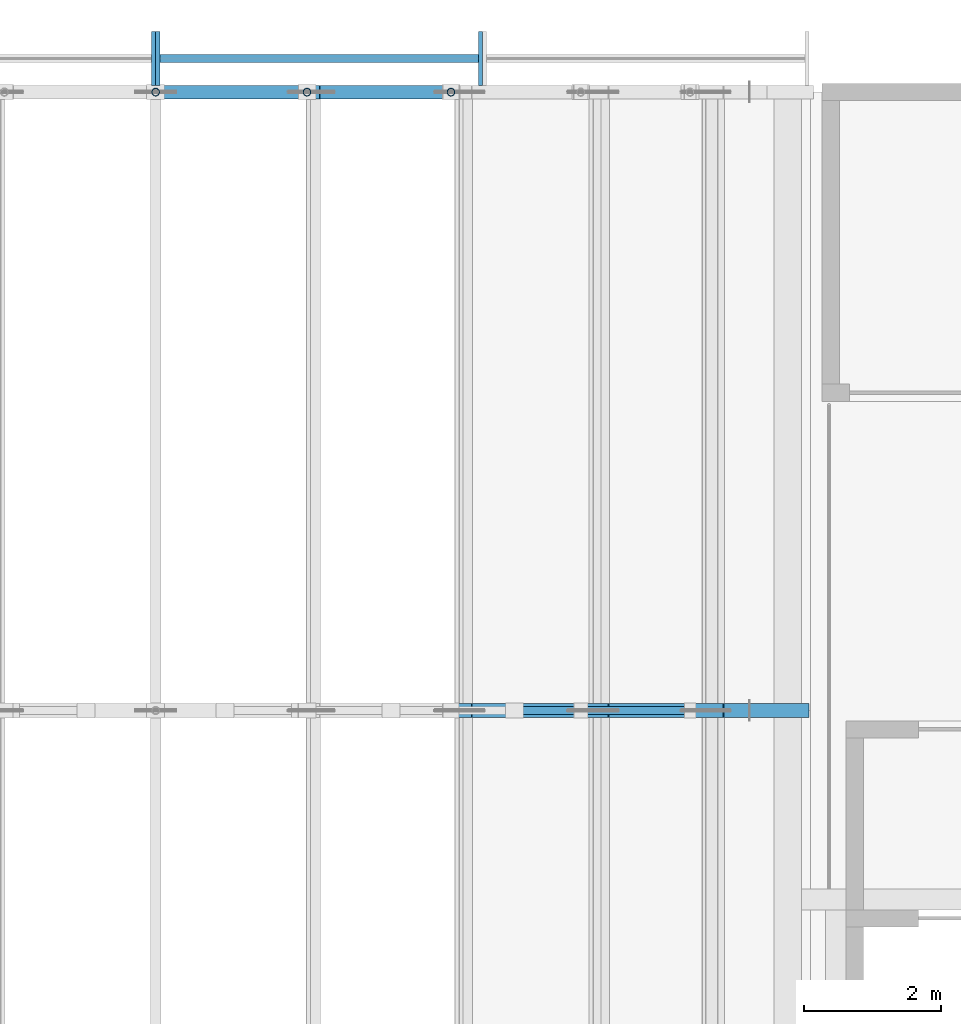
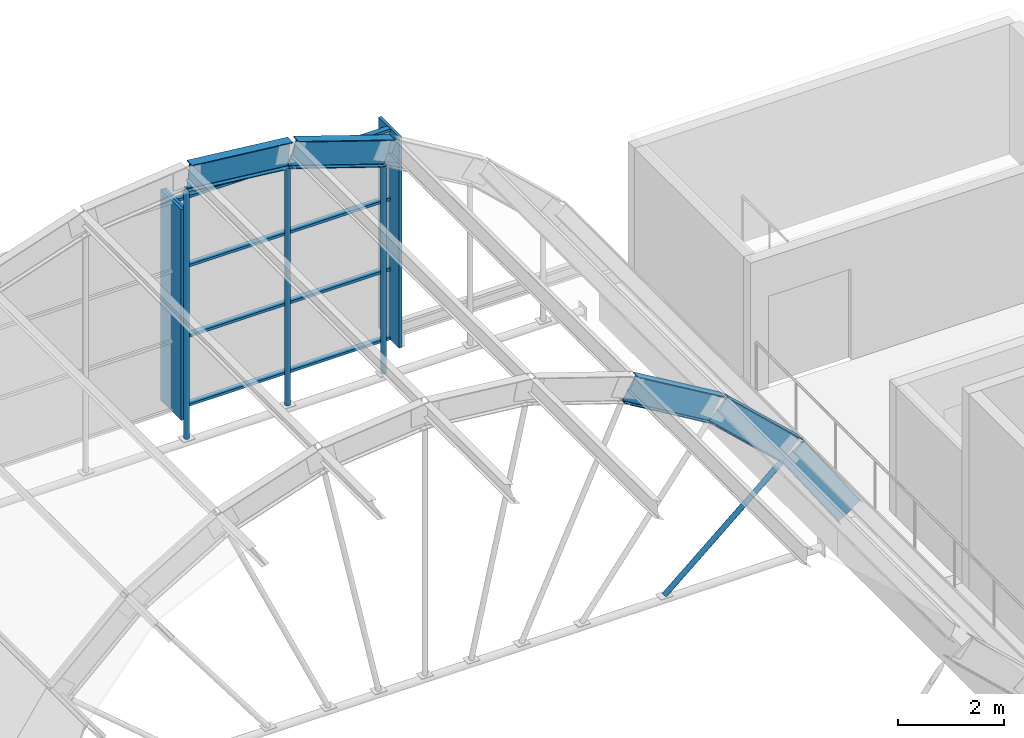
# One storey, part 30 of 79: 11 members, 5 beams, 2 elements without a shape of their own.
"""IFC4 building model written with IfcOpenShell, lengths in metres."""

from ifc_helpers import new_model, si_unit, direction, frame, origin, origin_2d, place, context, subcontext, project, spatial, rectangle, hollow_circle, i_section, extrude, material, layer, layer_set, material_profile, profile_set, type_object, element, aggregate, save


model = new_model("IFC4")

# Units and contexts
model_context = context("Model", 3, precision=1e-05, world=origin(), true_north=direction((0.0, 1.0)))
body_context = subcontext(model_context, "Body", "Model", "MODEL_VIEW")
ifc_project = project(units=[si_unit("LENGTHUNIT", "METRE"), si_unit("AREAUNIT", "SQUARE_METRE"), si_unit("VOLUMEUNIT", "CUBIC_METRE"), si_unit("PLANEANGLEUNIT", "RADIAN"), si_unit("MASSUNIT", "GRAM", prefix="KILO")], contexts=[model_context])

# Site, building, storey
site_placement = place(None, origin())
site = spatial("IfcSite", under=ifc_project, at=site_placement, CompositionType="ELEMENT")
building_placement = place(site_placement, origin())
building = spatial("IfcBuilding", under=site, at=building_placement, Name="Guidao Yard Department Store", CompositionType="ELEMENT")
storey_placement = place(building_placement, frame((0.0, 0.0, 15.0)))
storey = spatial("IfcBuildingStorey", under=building, at=storey_placement, Name="L03", CompositionType="ELEMENT", Elevation=15.0)

# Members
ifc_material_1 = material(Name="Steel Q355B", Category="steel")
ifc_material_profile_1 = material_profile(ifc_material_1, hollow_circle(Radius=0.056884765625, WallThickness=0.006103515625, at=origin_2d()), Name="CHS 114x6")
ifc_profile_set_1 = profile_set([ifc_material_profile_1], Name="Steel Q355B")
member_type_1 = type_object("IfcMemberType", Name="CHS 114x6", PredefinedType="BRACE", material=ifc_profile_set_1)
member_1_placement = place(storey_placement, frame((95.22509765625, 99.0, -0.360107421875), z_axis=(0.760338516722, 0.0, 0.649527012516), x_axis=(0.0, 1.0, 0.0)))
element("IfcMember", 1, at=member_1_placement, inside=storey, type_object=member_type_1, Name="Roof web strut C07-09", PredefinedType="BRACE", context=body_context, shape_type="SweptSolid", body=[
    extrude(hollow_circle(Radius=0.056884765625, WallThickness=0.006103515625, at=origin_2d()), origin(), (0.0, 0.0, 1.0), 3.357666015625),
])
member_2_placement = place(storey_placement, frame((90.0, 108.0, -0.360107421875), z_axis=(0.0, 0.0, 1.0), x_axis=(1.0, 0.0, 0.0)))
element("IfcMember", 2, at=member_2_placement, inside=storey, type_object=member_type_1, Name="Roof web strut C08-05", PredefinedType="BRACE", context=body_context, shape_type="SweptSolid", body=[
    extrude(hollow_circle(Radius=0.056884765625, WallThickness=0.006103515625, at=origin_2d()), origin(), (0.0, 0.0, 1.0), 5.72705078125),
])
member_3_placement = place(storey_placement, frame((92.201904296875, 108.0, -0.360107421875), z_axis=(0.0, 0.0, 1.0), x_axis=(1.0, 0.0, 0.0)))
element("IfcMember", 3, at=member_3_placement, inside=storey, type_object=member_type_1, Name="Roof web strut C08-06", PredefinedType="BRACE", context=body_context, shape_type="SweptSolid", body=[
    extrude(hollow_circle(Radius=0.056884765625, WallThickness=0.006103515625, at=origin_2d()), origin(), (0.0, 0.0, 1.0), 5.491455078125),
])
member_4_placement = place(storey_placement, frame((94.297607421875, 108.0, -0.360107421875), z_axis=(0.0, 0.0, 1.0), x_axis=(1.0, 0.0, 0.0)))
element("IfcMember", 4, at=member_4_placement, inside=storey, type_object=member_type_1, Name="Roof web strut C08-07", PredefinedType="BRACE", context=body_context, shape_type="SweptSolid", body=[
    extrude(hollow_circle(Radius=0.056884765625, WallThickness=0.006103515625, at=origin_2d()), origin(), (0.0, 0.0, 1.0), 4.7958984375),
])

# Beams
ifc_material_2 = material(Name="Steel Q355B", Category="steel")
ifc_material_profile_2 = material_profile(ifc_material_2, i_section(OverallWidth=0.199951171875, OverallDepth=0.60009765625, WebThickness=0.010986328125, FlangeThickness=0.01708984375, FilletRadius=0.012939453125, at=origin_2d()), Name="HN 600x200x11x17")
ifc_profile_set_2 = profile_set([ifc_material_profile_2], Name="Steel Q355B")
beam_type = type_object("IfcBeamType", Name="HN 600x200x11x17", PredefinedType="BEAM", material=ifc_profile_set_2)
beam_1_placement = place(storey_placement, frame((94.45068359375, 99.0, 4.693603515625), z_axis=(0.859895907255, 0.0, -0.510469419933), x_axis=(0.0, 1.0, 0.0)))
element("IfcBeam", 5, at=beam_1_placement, inside=storey, type_object=beam_type, Name="Roof rib C07-08", PredefinedType="BEAM", context=body_context, shape_type="SweptSolid", body=[
    extrude(i_section(OverallWidth=0.199951171875, OverallDepth=0.60009765625, WebThickness=0.010986328125, FlangeThickness=0.01708984375, FilletRadius=0.012939453125, at=origin_2d()), origin(), (0.0, 0.0, 1.0), 2.19677734375),
])
beam_2_placement = place(storey_placement, frame((96.391845703125, 99.0, 3.532958984375), z_axis=(0.729181254966, 0.0, -0.684320610099), x_axis=(0.0, 1.0, 0.0)))
element("IfcBeam", 6, at=beam_2_placement, inside=storey, type_object=beam_type, Name="Roof rib C07-09", PredefinedType="BEAM", context=body_context, shape_type="SweptSolid", body=[
    extrude(i_section(OverallWidth=0.199951171875, OverallDepth=0.60009765625, WebThickness=0.010986328125, FlangeThickness=0.01708984375, FilletRadius=0.012939453125, at=origin_2d()), origin(), (0.0, 0.0, 1.0), 2.182373046875),
])
beam_3_placement = place(storey_placement, frame((98.026123046875, 99.0, 1.989501953125), z_axis=(0.561973245007, 0.0, -0.827155409761), x_axis=(0.0, 1.0, 0.0)))
element("IfcBeam", 7, at=beam_3_placement, inside=storey, type_object=beam_type, Name="Roof rib C07-10", PredefinedType="BEAM", context=body_context, shape_type="SweptSolid", body=[
    extrude(i_section(OverallWidth=0.199951171875, OverallDepth=0.60009765625, WebThickness=0.010986328125, FlangeThickness=0.01708984375, FilletRadius=0.012939453125, at=origin_2d()), origin(), (0.0, 0.0, 1.0), 2.201171875),
])
beam_4_placement = place(storey_placement, frame((90.031982421875, 108.0, 5.665283203125), z_axis=(0.994311656362, 0.0, -0.10650976492), x_axis=(0.0, 1.0, 0.0)))
element("IfcBeam", 8, at=beam_4_placement, inside=storey, type_object=beam_type, Name="Roof rib C08-06", PredefinedType="BEAM", context=body_context, shape_type="SweptSolid", body=[
    extrude(i_section(OverallWidth=0.199951171875, OverallDepth=0.60009765625, WebThickness=0.010986328125, FlangeThickness=0.01708984375, FilletRadius=0.012939453125, at=origin_2d()), origin(), (0.0, 0.0, 1.0), 2.21435546875),
])
beam_5_placement = place(storey_placement, frame((92.29638671875, 108.0, 5.416015625), z_axis=(0.949091595418, 0.0, -0.31500022779), x_axis=(0.0, 1.0, 0.0)))
element("IfcBeam", 9, at=beam_5_placement, inside=storey, type_object=beam_type, Name="Roof rib C08-07", PredefinedType="BEAM", context=body_context, shape_type="SweptSolid", body=[
    extrude(i_section(OverallWidth=0.199951171875, OverallDepth=0.60009765625, WebThickness=0.010986328125, FlangeThickness=0.01708984375, FilletRadius=0.012939453125, at=origin_2d()), origin(), (0.0, 0.0, 1.0), 2.2080078125),
])

# Curtain wall, member
ifc_material_3 = material(Name="Aluminium and glass", Category="aluminium")
ifc_layer = layer(ifc_material_3, 0.159912109375)
ifc_layer_set = layer_set([ifc_layer], Name="Gable glazing CW7 1500 module")
curtain_wall_type = type_object("IfcCurtainWallType", Name="Gable glazing CW7 1500 module", PredefinedType="NOTDEFINED", material=ifc_layer_set)
curtain_wall_1_placement = place(storey_placement, origin())
curtain_wall_1 = element("IfcCurtainWall", 10, at=curtain_wall_1_placement, inside=storey, type_object=curtain_wall_type, Name="Gable glazing CN2", PredefinedType="NOTDEFINED")
ifc_material_4 = material(Name="Aluminium 6063-T5", Category="aluminium")
ifc_material_profile_3 = material_profile(ifc_material_4, rectangle(XDim=0.06005859375, YDim=0.780029296875, at=origin_2d()), Name="Mullion M3 60 x 780 aluminium pressure plate")
ifc_profile_set_3 = profile_set([ifc_material_profile_3], Name="Aluminium 6063-T5")
member_type_2 = type_object("IfcMemberType", Name="Mullion M3 60 x 780 aluminium pressure plate", PredefinedType="MULLION", material=ifc_profile_set_3)
member_5_placement = place(storey_placement, frame((89.969970703125, 108.489990234375, 0.0), z_axis=(0.0, 0.0, 1.0), x_axis=(1.0, 0.0, 0.0)))
member_5 = element("IfcMember", 11, at=member_5_placement, type_object=member_type_2, Name="CW-TCN2 mullion 2", PredefinedType="MULLION", context=body_context, shape_type="SweptSolid", body=[
    extrude(rectangle(XDim=0.06005859375, YDim=0.780029296875, at=origin_2d()), origin(), (0.0, 0.0, 1.0), 4.861572265625),
])
aggregate(curtain_wall_1, [member_5])

# Curtain wall, members
curtain_wall_2_placement = place(storey_placement, origin())
curtain_wall_2 = element("IfcCurtainWall", 12, at=curtain_wall_2_placement, inside=storey, type_object=curtain_wall_type, Name="Gable glazing CN3", PredefinedType="NOTDEFINED")
member_6_placement = place(storey_placement, frame((90.030029296875, 108.489990234375, 0.0), z_axis=(0.0, 0.0, 1.0), x_axis=(1.0, 0.0, 0.0)))
member_6 = element("IfcMember", 13, at=member_6_placement, type_object=member_type_2, Name="CW-TCN3 mullion 1", PredefinedType="MULLION", context=body_context, shape_type="SweptSolid", body=[
    extrude(rectangle(XDim=0.06005859375, YDim=0.780029296875, at=origin_2d()), origin(), (0.0, 0.0, 1.0), 4.861572265625),
])
member_7_placement = place(storey_placement, frame((94.7255859375, 108.489990234375, 0.0), z_axis=(0.0, 0.0, 1.0), x_axis=(1.0, 0.0, 0.0)))
member_7 = element("IfcMember", 14, at=member_7_placement, type_object=member_type_2, Name="CW-TCN3 mullion 2", PredefinedType="MULLION", context=body_context, shape_type="SweptSolid", body=[
    extrude(rectangle(XDim=0.06005859375, YDim=0.780029296875, at=origin_2d()), origin(), (0.0, 0.0, 1.0), 4.861572265625),
])
ifc_material_5 = material(Name="Aluminium 6063-T5", Category="aluminium")
ifc_material_profile_4 = material_profile(ifc_material_5, rectangle(XDim=0.1201171875, YDim=0.06005859375, at=origin_2d()), Name="Transom T1 60 x 120 aluminium pressure plate")
ifc_profile_set_4 = profile_set([ifc_material_profile_4], Name="Aluminium 6063-T5")
member_type_3 = type_object("IfcMemberType", Name="Transom T1 60 x 120 aluminium pressure plate", PredefinedType="USERDEFINED", material=ifc_profile_set_4)
member_8_placement = place(storey_placement, frame((90.06005859375, 108.489990234375, 0.030029296875), z_axis=(1.0, 0.0, 0.0), x_axis=(0.0, 1.0, 0.0)))
member_8 = element("IfcMember", 15, at=member_8_placement, type_object=member_type_3, Name="CW-TCN3 transom 1.1", ObjectType="TRANSOM", PredefinedType="USERDEFINED", context=body_context, shape_type="SweptSolid", body=[
    extrude(rectangle(XDim=0.1201171875, YDim=0.06005859375, at=origin_2d()), origin(), (0.0, 0.0, 1.0), 4.635498046875),
])
member_9_placement = place(storey_placement, frame((90.06005859375, 108.489990234375, 1.62060546875), z_axis=(1.0, 0.0, 0.0), x_axis=(0.0, 1.0, 0.0)))
member_9 = element("IfcMember", 16, at=member_9_placement, type_object=member_type_3, Name="CW-TCN3 transom 1.2", ObjectType="TRANSOM", PredefinedType="USERDEFINED", context=body_context, shape_type="SweptSolid", body=[
    extrude(rectangle(XDim=0.1201171875, YDim=0.06005859375, at=origin_2d()), origin(), (0.0, 0.0, 1.0), 4.635498046875),
])
member_10_placement = place(storey_placement, frame((90.06005859375, 108.489990234375, 3.240966796875), z_axis=(1.0, 0.0, 0.0), x_axis=(0.0, 1.0, 0.0)))
member_10 = element("IfcMember", 17, at=member_10_placement, type_object=member_type_3, Name="CW-TCN3 transom 1.3", ObjectType="TRANSOM", PredefinedType="USERDEFINED", context=body_context, shape_type="SweptSolid", body=[
    extrude(rectangle(XDim=0.1201171875, YDim=0.06005859375, at=origin_2d()), origin(), (0.0, 0.0, 1.0), 4.635498046875),
])
member_11_placement = place(storey_placement, frame((90.06005859375, 108.489990234375, 4.83154296875), z_axis=(1.0, 0.0, 0.0), x_axis=(0.0, 1.0, 0.0)))
member_11 = element("IfcMember", 18, at=member_11_placement, type_object=member_type_3, Name="CW-TCN3 transom 1.4", ObjectType="TRANSOM", PredefinedType="USERDEFINED", context=body_context, shape_type="SweptSolid", body=[
    extrude(rectangle(XDim=0.1201171875, YDim=0.06005859375, at=origin_2d()), origin(), (0.0, 0.0, 1.0), 4.635498046875),
])
aggregate(curtain_wall_2, [member_6, member_7, member_8, member_9, member_10, member_11])

save(model, "model.ifc")
